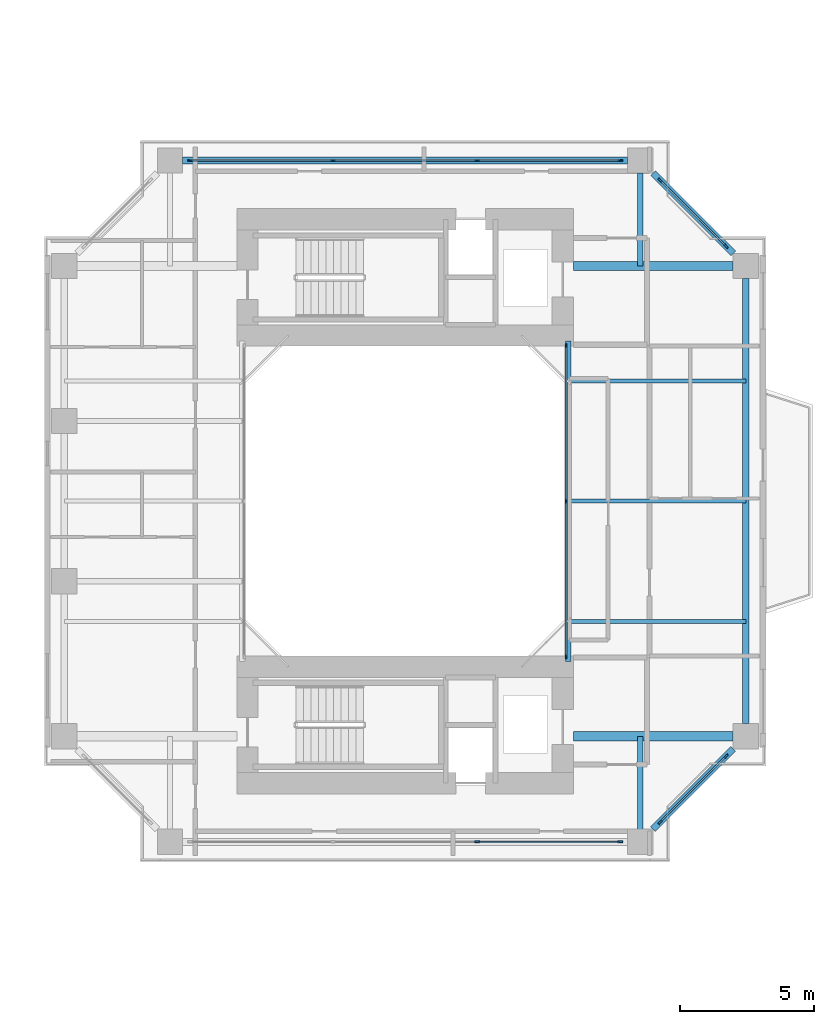
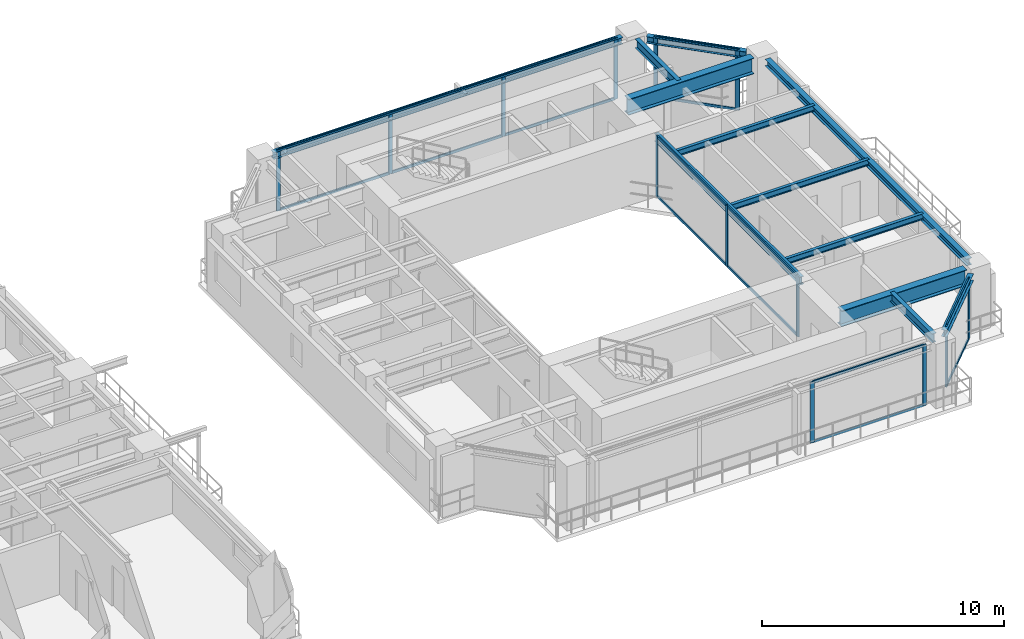
# One storey, part 10 of 23: 29 members, 12 beams, 5 elements without a shape of their own.
"""IFC4 building model written with IfcOpenShell, lengths in metres."""

from ifc_helpers import new_model, si_unit, direction, frame, origin, origin_2d, place, context, subcontext, project, spatial, rectangle, i_section, extrude, source, transform, mapped, material, layer, layer_set, material_profile, profile_set, type_object, element, aggregate, save


model = new_model("IFC4")

# Units and contexts
model_context = context("Model", 3, precision=1e-05, world=origin(), true_north=direction((0.0, 1.0)))
body_context = subcontext(model_context, "Body", "Model", "MODEL_VIEW")
ifc_project = project(units=[si_unit("LENGTHUNIT", "METRE"), si_unit("AREAUNIT", "SQUARE_METRE"), si_unit("VOLUMEUNIT", "CUBIC_METRE"), si_unit("PLANEANGLEUNIT", "RADIAN"), si_unit("MASSUNIT", "GRAM", prefix="KILO"), si_unit("THERMODYNAMICTEMPERATUREUNIT", "KELVIN"), si_unit("POWERUNIT", "WATT")], contexts=[model_context])

# Site, building, storey
site_placement = place(None, origin())
site = spatial("IfcSite", under=ifc_project, at=site_placement, CompositionType="ELEMENT")
building_placement = place(site_placement, origin())
building = spatial("IfcBuilding", under=site, at=building_placement, Name="Qiaomeng Ring Towers", CompositionType="ELEMENT")
storey_placement = place(building_placement, frame((0.0, 0.0, 39.25)))
storey = spatial("IfcBuildingStorey", under=building, at=storey_placement, Name="L10", CompositionType="ELEMENT", Elevation=39.25)

# Beams
ifc_material_1 = material(Name="Steel Q355B", Category="steel")
ifc_material_profile_1 = material_profile(ifc_material_1, i_section(OverallWidth=0.25, OverallDepth=0.340087890625, WebThickness=0.009033203125, FlangeThickness=0.013916015625, FilletRadius=0.02001953125, at=origin_2d()), Name="HM 340x250x9x14")
ifc_profile_set_1 = profile_set([ifc_material_profile_1], Name="Steel Q355B")
beam_type_1 = type_object("IfcBeamType", Name="STR-BM-HM340", PredefinedType="SPANDREL", material=ifc_profile_set_1)
shared_shape_1 = source(origin(), body_context, "Body", "SweptSolid", [
    extrude(i_section(OverallWidth=0.25, OverallDepth=0.340087890625, WebThickness=0.009033203125, FlangeThickness=0.013916015625, FilletRadius=0.02001953125, at=origin_2d()), origin(), (0.0, 0.0, 1.0), 16.65185546875),
])
for number, where, z_axis, x_axis, name in (
    (1, (73.25, 14.674072265625, 2.89990234375), (0.0, 1.0, 0.0), (-1.0, 0.0, 0.0), "L10 beam STR-SP-L10-T2-E1-E2"),
    (2, (68.825927734375, 35.75, 2.89990234375), (-1.0, 0.0, 0.0), (0.0, -1.0, 0.0), "L10 beam STR-SP-L10-T2-N2-N1"),
):
    element("IfcBeam", number, at=place(storey_placement, frame(where, z_axis=z_axis, x_axis=x_axis)), inside=storey, type_object=beam_type_1, Name=name, PredefinedType="SPANDREL", context=body_context, shape_type="MappedRepresentation", body=[
        mapped(shared_shape_1, transform((0.0, 0.0, 0.0), x_axis=(1.0, 0.0, 0.0), y_axis=(0.0, 1.0, 0.0), z_axis=(0.0, 0.0, 1.0), scale=1.0)),
    ])
shared_shape_2 = source(origin(), body_context, "Body", "SweptSolid", [
    extrude(i_section(OverallWidth=0.25, OverallDepth=0.340087890625, WebThickness=0.009033203125, FlangeThickness=0.013916015625, FilletRadius=0.02001953125, at=origin_2d()), origin(), (0.0, 0.0, 1.0), 4.244384765625),
])
for number, where, z_axis, x_axis, name in (
    (3, (69.7744140625, 10.724365234375, 2.89990234375), (0.707106781187, 0.707106781187, 0.0), (-0.707106781187, 0.707106781187, 0.0), "L10 beam STR-SP-L10-T2-S2-E1"),
    (4, (72.775634765625, 32.2744140625, 2.89990234375), (-0.707106781187, 0.707106781187, 0.0), (-0.707106781187, -0.707106781187, 0.0), "L10 beam STR-SP-L10-T2-E2-N2"),
):
    element("IfcBeam", number, at=place(storey_placement, frame(where, z_axis=z_axis, x_axis=x_axis)), inside=storey, type_object=beam_type_1, Name=name, PredefinedType="SPANDREL", context=body_context, shape_type="MappedRepresentation", body=[
        mapped(shared_shape_2, transform((0.0, 0.0, 0.0), x_axis=(1.0, 0.0, 0.0), y_axis=(0.0, 1.0, 0.0), z_axis=(0.0, 0.0, 1.0), scale=1.0)),
    ])
ifc_material_profile_2 = material_profile(ifc_material_1, i_section(OverallWidth=0.199951171875, OverallDepth=0.39990234375, WebThickness=0.008056640625, FlangeThickness=0.012939453125, FilletRadius=0.01611328125, at=origin_2d()), Name="HN 400x200x8x13")
ifc_profile_set_2 = profile_set([ifc_material_profile_2], Name="Steel Q355B")
beam_type_2 = type_object("IfcBeamType", Name="STR-BM-HN400", PredefinedType="SPANDREL", material=ifc_profile_set_2)
shared_shape_3 = source(origin(), body_context, "Body", "SweptSolid", [
    extrude(i_section(OverallWidth=0.199951171875, OverallDepth=0.39990234375, WebThickness=0.008056640625, FlangeThickness=0.012939453125, FilletRadius=0.01611328125, at=origin_2d()), origin(), (0.0, 0.0, 1.0), 12.0),
])
beam_placement = place(storey_placement, frame((66.60009765625, 17.0, 2.8701171875), z_axis=(0.0, 1.0, 0.0), x_axis=(-1.0, 0.0, 0.0)))
element("IfcBeam", 5, at=beam_placement, inside=storey, type_object=beam_type_2, Name="L10 beam STR-BM-L10-T2-WELL-E", PredefinedType="SPANDREL", context=body_context, shape_type="MappedRepresentation", body=[
    mapped(shared_shape_3, transform((0.0, 0.0, 0.0), x_axis=(1.0, 0.0, 0.0), y_axis=(0.0, 1.0, 0.0), z_axis=(0.0, 0.0, 1.0), scale=1.0)),
])
ifc_material_2 = material(Name="Steel Q390GJC", Category="steel")
ifc_material_profile_3 = material_profile(ifc_material_2, i_section(OverallWidth=0.35009765625, OverallDepth=0.800048828125, WebThickness=0.01611328125, FlangeThickness=0.028076171875, at=origin_2d()), Name="WH 800x350x16x28")
ifc_profile_set_3 = profile_set([ifc_material_profile_3], Name="Steel Q390GJC")
beam_type_3 = type_object("IfcBeamType", Name="STR-BM-WH800", PredefinedType="BEAM", material=ifc_profile_set_3)
shared_shape_4 = source(origin(), body_context, "Body", "SweptSolid", [
    extrude(i_section(OverallWidth=0.35009765625, OverallDepth=0.800048828125, WebThickness=0.01611328125, FlangeThickness=0.028076171875, at=origin_2d()), origin(), (0.0, 0.0, 1.0), 5.975830078125),
])
for number, where, z_axis, x_axis, name in (
    (6, (66.800048828125, 14.199951171875, 2.669921875), (1.0, 0.0, 0.0), (0.0, 1.0, 0.0), "L10 beam STR-BM-L10-T2-RAD-E1"),
    (7, (66.800048828125, 31.800048828125, 2.669921875), (1.0, 0.0, 0.0), (0.0, 1.0, 0.0), "L10 beam STR-BM-L10-T2-RAD-E2"),
):
    element("IfcBeam", number, at=place(storey_placement, frame(where, z_axis=z_axis, x_axis=x_axis)), inside=storey, type_object=beam_type_3, Name=name, PredefinedType="BEAM", context=body_context, shape_type="MappedRepresentation", body=[
        mapped(shared_shape_4, transform((0.0, 0.0, 0.0), x_axis=(1.0, 0.0, 0.0), y_axis=(0.0, 1.0, 0.0), z_axis=(0.0, 0.0, 1.0), scale=1.0)),
    ])
ifc_material_profile_4 = material_profile(ifc_material_1, i_section(OverallWidth=0.199951171875, OverallDepth=0.449951171875, WebThickness=0.009033203125, FlangeThickness=0.013916015625, FilletRadius=0.01806640625, at=origin_2d()), Name="HN 450x200x9x14")
ifc_profile_set_4 = profile_set([ifc_material_profile_4], Name="Steel Q355B")
beam_type_4 = type_object("IfcBeamType", Name="STR-BM-HN450", PredefinedType="SPANDREL", material=ifc_profile_set_4)
shared_shape_5 = source(origin(), body_context, "Body", "SweptSolid", [
    extrude(i_section(OverallWidth=0.199951171875, OverallDepth=0.449951171875, WebThickness=0.009033203125, FlangeThickness=0.013916015625, FilletRadius=0.01806640625, at=origin_2d()), origin(), (0.0, 0.0, 1.0), 3.475830078125),
])
for number, where, z_axis, x_axis, name in (
    (8, (69.300048828125, 35.27587890625, 2.844970703125), (0.0, -1.0, 0.0), (1.0, 0.0, 0.0), "L10 beam STR-BM-L10-T2-RAD-N2"),
    (9, (69.300048828125, 10.72412109375, 2.844970703125), (0.0, 1.0, 0.0), (-1.0, 0.0, 0.0), "L10 beam STR-BM-L10-T2-RAD-S2"),
):
    element("IfcBeam", number, at=place(storey_placement, frame(where, z_axis=z_axis, x_axis=x_axis)), inside=storey, type_object=beam_type_4, Name=name, PredefinedType="SPANDREL", context=body_context, shape_type="MappedRepresentation", body=[
        mapped(shared_shape_5, transform((0.0, 0.0, 0.0), x_axis=(1.0, 0.0, 0.0), y_axis=(0.0, 1.0, 0.0), z_axis=(0.0, 0.0, 1.0), scale=1.0)),
    ])
ifc_material_profile_5 = material_profile(ifc_material_1, i_section(OverallWidth=0.14990234375, OverallDepth=0.300048828125, WebThickness=0.006591796875, FlangeThickness=0.009033203125, FilletRadius=0.012939453125, at=origin_2d()), Name="HN 300x150x6.5x9")
ifc_profile_set_5 = profile_set([ifc_material_profile_5], Name="Steel Q355B")
beam_type_5 = type_object("IfcBeamType", Name="STR-BM-HN300", PredefinedType="JOIST", material=ifc_profile_set_5)
shared_shape_6 = source(origin(), body_context, "Body", "SweptSolid", [
    extrude(i_section(OverallWidth=0.14990234375, OverallDepth=0.300048828125, WebThickness=0.006591796875, FlangeThickness=0.009033203125, FilletRadius=0.012939453125, at=origin_2d()), origin(), (0.0, 0.0, 1.0), 6.64990234375),
])
for number, where, z_axis, x_axis, name in (
    (10, (66.60009765625, 18.5, 2.919921875), (1.0, 0.0, 0.0), (0.0, 1.0, 0.0), "L10 beam STR-JST-L10-T2E-1"),
    (11, (66.60009765625, 23.0, 2.919921875), (1.0, 0.0, 0.0), (0.0, 1.0, 0.0), "L10 beam STR-JST-L10-T2E-2"),
    (12, (66.60009765625, 27.5, 2.919921875), (1.0, 0.0, 0.0), (0.0, 1.0, 0.0), "L10 beam STR-JST-L10-T2E-3"),
):
    element("IfcBeam", number, at=place(storey_placement, frame(where, z_axis=z_axis, x_axis=x_axis)), inside=storey, type_object=beam_type_5, Name=name, PredefinedType="JOIST", context=body_context, shape_type="MappedRepresentation", body=[
        mapped(shared_shape_6, transform((0.0, 0.0, 0.0), x_axis=(1.0, 0.0, 0.0), y_axis=(0.0, 1.0, 0.0), z_axis=(0.0, 0.0, 1.0), scale=1.0)),
    ])

# Curtain wall, members
ifc_material_3 = material(Name="Fluorocarbon dark-grey aluminium", Category="aluminium")
ifc_layer_1 = layer(ifc_material_3, 0.139892578125, Name="Fluorocarbon dark-grey aluminium")
ifc_layer_set_1 = layer_set([ifc_layer_1], Name="Fluorocarbon dark-grey aluminium")
curtain_wall_type_1 = type_object("IfcCurtainWallType", Name="ARC-CW-4", PredefinedType="NOTDEFINED", material=ifc_layer_set_1)
curtain_wall_1_placement = place(storey_placement, origin())
curtain_wall_1 = element("IfcCurtainWall", 13, at=curtain_wall_1_placement, inside=storey, type_object=curtain_wall_type_1, Name="L10 Curtain Wall CW4", PredefinedType="NOTDEFINED")
ifc_material_profile_6 = material_profile(ifc_material_3, rectangle(XDim=0.06494140625, YDim=0.159912109375, at=origin_2d()), Name="ALU MULL 65x160")
ifc_profile_set_6 = profile_set([ifc_material_profile_6], Name="Fluorocarbon dark-grey aluminium")
member_type_1 = type_object("IfcMemberType", Name="ARC-CWM-140", PredefinedType="MULLION", material=ifc_profile_set_6)
shared_shape_7 = source(origin(), body_context, "Body", "SweptSolid", [
    extrude(rectangle(XDim=0.06494140625, YDim=0.159912109375, at=origin_2d()), origin(), (0.0, 0.0, 1.0), 3.070068359375),
])
member_1_placement = place(storey_placement, frame((66.52001953125, 17.1826171875, 0.0), z_axis=(0.0, 0.0, 1.0), x_axis=(-1.0, 0.0, 0.0)))
member_1 = element("IfcMember", 14, at=member_1_placement, type_object=member_type_1, Name="CW4 mullion 1", PredefinedType="MULLION", context=body_context, shape_type="MappedRepresentation", body=[
    mapped(shared_shape_7, transform((0.0, 0.0, 0.0), x_axis=(1.0, 0.0, 0.0), y_axis=(0.0, 1.0, 0.0), z_axis=(0.0, 0.0, 1.0), scale=1.0)),
])
member_2_placement = place(storey_placement, frame((66.52001953125, 23.0, 0.0), z_axis=(0.0, 0.0, 1.0), x_axis=(-1.0, 0.0, 0.0)))
member_2 = element("IfcMember", 15, at=member_2_placement, type_object=member_type_1, Name="CW4 mullion 2", PredefinedType="MULLION", context=body_context, shape_type="MappedRepresentation", body=[
    mapped(shared_shape_7, transform((0.0, 0.0, 0.0), x_axis=(1.0, 0.0, 0.0), y_axis=(0.0, 1.0, 0.0), z_axis=(0.0, 0.0, 1.0), scale=1.0)),
])
member_3_placement = place(storey_placement, frame((66.52001953125, 28.8173828125, 0.0), z_axis=(0.0, 0.0, 1.0), x_axis=(-1.0, 0.0, 0.0)))
member_3 = element("IfcMember", 16, at=member_3_placement, type_object=member_type_1, Name="CW4 mullion 3", PredefinedType="MULLION", context=body_context, shape_type="MappedRepresentation", body=[
    mapped(shared_shape_7, transform((0.0, 0.0, 0.0), x_axis=(1.0, 0.0, 0.0), y_axis=(0.0, 1.0, 0.0), z_axis=(0.0, 0.0, 1.0), scale=1.0)),
])
ifc_material_profile_7 = material_profile(ifc_material_3, rectangle(XDim=0.06494140625, YDim=0.1298828125, at=origin_2d()), Name="ALU TRAN 65x130")
ifc_profile_set_7 = profile_set([ifc_material_profile_7], Name="Fluorocarbon dark-grey aluminium")
member_type_2 = type_object("IfcMemberType", Name="ARC-CWT-120", PredefinedType="USERDEFINED", material=ifc_profile_set_7)
shared_shape_8 = source(origin(), body_context, "Body", "SweptSolid", [
    extrude(rectangle(XDim=0.06494140625, YDim=0.1298828125, at=origin_2d()), origin(), (0.0, 0.0, 1.0), 5.75244140625),
])
member_4_placement = place(storey_placement, frame((66.52001953125, 17.215087890625, 0.032470703125), z_axis=(0.0, 1.0, 0.0), x_axis=(-1.0, 0.0, 0.0)))
member_4 = element("IfcMember", 17, at=member_4_placement, type_object=member_type_2, Name="CW4 transom 1.1", ObjectType="TRANSOM", PredefinedType="USERDEFINED", context=body_context, shape_type="MappedRepresentation", body=[
    mapped(shared_shape_8, transform((0.0, 0.0, 0.0), x_axis=(1.0, 0.0, 0.0), y_axis=(0.0, 1.0, 0.0), z_axis=(0.0, 0.0, 1.0), scale=1.0)),
])
member_5_placement = place(storey_placement, frame((66.52001953125, 17.215087890625, 3.03759765625), z_axis=(0.0, 1.0, 0.0), x_axis=(-1.0, 0.0, 0.0)))
member_5 = element("IfcMember", 18, at=member_5_placement, type_object=member_type_2, Name="CW4 transom 1.2", ObjectType="TRANSOM", PredefinedType="USERDEFINED", context=body_context, shape_type="MappedRepresentation", body=[
    mapped(shared_shape_8, transform((0.0, 0.0, 0.0), x_axis=(1.0, 0.0, 0.0), y_axis=(0.0, 1.0, 0.0), z_axis=(0.0, 0.0, 1.0), scale=1.0)),
])
member_6_placement = place(storey_placement, frame((66.52001953125, 23.032470703125, 0.032470703125), z_axis=(0.0, 1.0, 0.0), x_axis=(-1.0, 0.0, 0.0)))
member_6 = element("IfcMember", 19, at=member_6_placement, type_object=member_type_2, Name="CW4 transom 2.1", ObjectType="TRANSOM", PredefinedType="USERDEFINED", context=body_context, shape_type="MappedRepresentation", body=[
    mapped(shared_shape_8, transform((0.0, 0.0, 0.0), x_axis=(1.0, 0.0, 0.0), y_axis=(0.0, 1.0, 0.0), z_axis=(0.0, 0.0, 1.0), scale=1.0)),
])
member_7_placement = place(storey_placement, frame((66.52001953125, 23.032470703125, 3.03759765625), z_axis=(0.0, 1.0, 0.0), x_axis=(-1.0, 0.0, 0.0)))
member_7 = element("IfcMember", 20, at=member_7_placement, type_object=member_type_2, Name="CW4 transom 2.2", ObjectType="TRANSOM", PredefinedType="USERDEFINED", context=body_context, shape_type="MappedRepresentation", body=[
    mapped(shared_shape_8, transform((0.0, 0.0, 0.0), x_axis=(1.0, 0.0, 0.0), y_axis=(0.0, 1.0, 0.0), z_axis=(0.0, 0.0, 1.0), scale=1.0)),
])
aggregate(curtain_wall_1, [member_1, member_2, member_3, member_4, member_5, member_6, member_7])

ifc_layer_2 = layer(ifc_material_3, 0.14990234375, Name="Fluorocarbon dark-grey aluminium")
ifc_layer_set_2 = layer_set([ifc_layer_2], Name="Fluorocarbon dark-grey aluminium")
curtain_wall_type_2 = type_object("IfcCurtainWallType", Name="ARC-CW-5", PredefinedType="NOTDEFINED", material=ifc_layer_set_2)
curtain_wall_2_placement = place(storey_placement, origin())
curtain_wall_2 = element("IfcCurtainWall", 21, at=curtain_wall_2_placement, inside=storey, type_object=curtain_wall_type_2, Name="L10 Curtain Wall CW5", PredefinedType="NOTDEFINED")
ifc_material_profile_8 = material_profile(ifc_material_3, rectangle(XDim=0.070068359375, YDim=0.179931640625, at=origin_2d()), Name="ALU MULL 70x180")
ifc_profile_set_8 = profile_set([ifc_material_profile_8], Name="Fluorocarbon dark-grey aluminium")
member_type_3 = type_object("IfcMemberType", Name="ARC-CWM-160", PredefinedType="MULLION", material=ifc_profile_set_8)
shared_shape_9 = source(origin(), body_context, "Body", "SweptSolid", [
    extrude(rectangle(XDim=0.070068359375, YDim=0.179931640625, at=origin_2d()), origin(), (0.0, 0.0, 1.0), 3.070068359375),
])
member_8_placement = place(storey_placement, frame((52.449951171875, 35.75, 0.0), z_axis=(0.0, 0.0, 1.0), x_axis=(0.0, 1.0, 0.0)))
member_8 = element("IfcMember", 22, at=member_8_placement, type_object=member_type_3, Name="CW5 mullion 1", PredefinedType="MULLION", context=body_context, shape_type="MappedRepresentation", body=[
    mapped(shared_shape_9, transform((0.0, 0.0, 0.0), x_axis=(1.0, 0.0, 0.0), y_axis=(0.0, 1.0, 0.0), z_axis=(0.0, 0.0, 1.0), scale=1.0)),
])
member_9_placement = place(storey_placement, frame((57.804931640625, 35.75, 0.0), z_axis=(0.0, 0.0, 1.0), x_axis=(0.0, 1.0, 0.0)))
member_9 = element("IfcMember", 23, at=member_9_placement, type_object=member_type_3, Name="CW5 mullion 2", PredefinedType="MULLION", context=body_context, shape_type="MappedRepresentation", body=[
    mapped(shared_shape_9, transform((0.0, 0.0, 0.0), x_axis=(1.0, 0.0, 0.0), y_axis=(0.0, 1.0, 0.0), z_axis=(0.0, 0.0, 1.0), scale=1.0)),
])
member_10_placement = place(storey_placement, frame((63.195068359375, 35.75, 0.0), z_axis=(0.0, 0.0, 1.0), x_axis=(0.0, 1.0, 0.0)))
member_10 = element("IfcMember", 24, at=member_10_placement, type_object=member_type_3, Name="CW5 mullion 3", PredefinedType="MULLION", context=body_context, shape_type="MappedRepresentation", body=[
    mapped(shared_shape_9, transform((0.0, 0.0, 0.0), x_axis=(1.0, 0.0, 0.0), y_axis=(0.0, 1.0, 0.0), z_axis=(0.0, 0.0, 1.0), scale=1.0)),
])
member_11_placement = place(storey_placement, frame((68.550048828125, 35.75, 0.0), z_axis=(0.0, 0.0, 1.0), x_axis=(0.0, 1.0, 0.0)))
member_11 = element("IfcMember", 25, at=member_11_placement, type_object=member_type_3, Name="CW5 mullion 4", PredefinedType="MULLION", context=body_context, shape_type="MappedRepresentation", body=[
    mapped(shared_shape_9, transform((0.0, 0.0, 0.0), x_axis=(1.0, 0.0, 0.0), y_axis=(0.0, 1.0, 0.0), z_axis=(0.0, 0.0, 1.0), scale=1.0)),
])

curtain_wall_3_placement = place(storey_placement, origin())
curtain_wall_3 = element("IfcCurtainWall", 26, at=curtain_wall_3_placement, inside=storey, type_object=curtain_wall_type_2, Name="L10 Curtain Wall CW5", PredefinedType="NOTDEFINED")
member_12_placement = place(storey_placement, frame((70.039794921875, 10.98974609375, 0.0), z_axis=(0.0, 0.0, 1.0), x_axis=(-0.707106781187, 0.707106781187, 0.0)))
member_12 = element("IfcMember", 27, at=member_12_placement, type_object=member_type_3, Name="CW5 mullion 1", PredefinedType="MULLION", context=body_context, shape_type="MappedRepresentation", body=[
    mapped(shared_shape_9, transform((0.0, 0.0, 0.0), x_axis=(1.0, 0.0, 0.0), y_axis=(0.0, 1.0, 0.0), z_axis=(0.0, 0.0, 1.0), scale=1.0)),
])
member_13_placement = place(storey_placement, frame((72.51025390625, 13.460205078125, 0.0), z_axis=(0.0, 0.0, 1.0), x_axis=(-0.707106781187, 0.707106781187, 0.0)))
member_13 = element("IfcMember", 28, at=member_13_placement, type_object=member_type_3, Name="CW5 mullion 2", PredefinedType="MULLION", context=body_context, shape_type="MappedRepresentation", body=[
    mapped(shared_shape_9, transform((0.0, 0.0, 0.0), x_axis=(1.0, 0.0, 0.0), y_axis=(0.0, 1.0, 0.0), z_axis=(0.0, 0.0, 1.0), scale=1.0)),
])

curtain_wall_4_placement = place(storey_placement, origin())
curtain_wall_4 = element("IfcCurtainWall", 29, at=curtain_wall_4_placement, inside=storey, type_object=curtain_wall_type_2, Name="L10 Curtain Wall CW5", PredefinedType="NOTDEFINED")
member_14_placement = place(storey_placement, frame((72.51025390625, 32.539794921875, 0.0), z_axis=(0.0, 0.0, 1.0), x_axis=(-0.707106781187, -0.707106781187, 0.0)))
member_14 = element("IfcMember", 30, at=member_14_placement, type_object=member_type_3, Name="CW5 mullion 1", PredefinedType="MULLION", context=body_context, shape_type="MappedRepresentation", body=[
    mapped(shared_shape_9, transform((0.0, 0.0, 0.0), x_axis=(1.0, 0.0, 0.0), y_axis=(0.0, 1.0, 0.0), z_axis=(0.0, 0.0, 1.0), scale=1.0)),
])
member_15_placement = place(storey_placement, frame((70.039794921875, 35.01025390625, 0.0), z_axis=(0.0, 0.0, 1.0), x_axis=(-0.707106781187, -0.707106781187, 0.0)))
member_15 = element("IfcMember", 31, at=member_15_placement, type_object=member_type_3, Name="CW5 mullion 2", PredefinedType="MULLION", context=body_context, shape_type="MappedRepresentation", body=[
    mapped(shared_shape_9, transform((0.0, 0.0, 0.0), x_axis=(1.0, 0.0, 0.0), y_axis=(0.0, 1.0, 0.0), z_axis=(0.0, 0.0, 1.0), scale=1.0)),
])

curtain_wall_5_placement = place(storey_placement, origin())
curtain_wall_5 = element("IfcCurtainWall", 32, at=curtain_wall_5_placement, inside=storey, type_object=curtain_wall_type_2, Name="L10 Curtain Wall CW5", PredefinedType="NOTDEFINED")
member_16_placement = place(storey_placement, frame((63.195068359375, 10.25, 0.0), z_axis=(0.0, 0.0, 1.0), x_axis=(0.0, 1.0, 0.0)))
member_16 = element("IfcMember", 33, at=member_16_placement, type_object=member_type_3, Name="CW5 mullion 3", PredefinedType="MULLION", context=body_context, shape_type="MappedRepresentation", body=[
    mapped(shared_shape_9, transform((0.0, 0.0, 0.0), x_axis=(1.0, 0.0, 0.0), y_axis=(0.0, 1.0, 0.0), z_axis=(0.0, 0.0, 1.0), scale=1.0)),
])
member_17_placement = place(storey_placement, frame((68.550048828125, 10.25, 0.0), z_axis=(0.0, 0.0, 1.0), x_axis=(0.0, 1.0, 0.0)))
member_17 = element("IfcMember", 34, at=member_17_placement, type_object=member_type_3, Name="CW5 mullion 4", PredefinedType="MULLION", context=body_context, shape_type="MappedRepresentation", body=[
    mapped(shared_shape_9, transform((0.0, 0.0, 0.0), x_axis=(1.0, 0.0, 0.0), y_axis=(0.0, 1.0, 0.0), z_axis=(0.0, 0.0, 1.0), scale=1.0)),
])

# Member
shared_shape_10 = source(origin(), body_context, "Body", "SweptSolid", [
    extrude(rectangle(XDim=0.06494140625, YDim=0.1298828125, at=origin_2d()), origin(), (0.0, 0.0, 1.0), 5.284912109375),
])
member_18_placement = place(storey_placement, frame((52.485107421875, 35.75, 0.032470703125), z_axis=(1.0, 0.0, 0.0), x_axis=(0.0, 1.0, 0.0)))
member_18 = element("IfcMember", 35, at=member_18_placement, type_object=member_type_2, Name="CW5 transom 1.1", ObjectType="TRANSOM", PredefinedType="USERDEFINED", context=body_context, shape_type="MappedRepresentation", body=[
    mapped(shared_shape_10, transform((0.0, 0.0, 0.0), x_axis=(1.0, 0.0, 0.0), y_axis=(0.0, 1.0, 0.0), z_axis=(0.0, 0.0, 1.0), scale=1.0)),
])

member_19_placement = place(storey_placement, frame((52.485107421875, 35.75, 3.03759765625), z_axis=(1.0, 0.0, 0.0), x_axis=(0.0, 1.0, 0.0)))
member_19 = element("IfcMember", 36, at=member_19_placement, type_object=member_type_2, Name="CW5 transom 1.2", ObjectType="TRANSOM", PredefinedType="USERDEFINED", context=body_context, shape_type="MappedRepresentation", body=[
    mapped(shared_shape_10, transform((0.0, 0.0, 0.0), x_axis=(1.0, 0.0, 0.0), y_axis=(0.0, 1.0, 0.0), z_axis=(0.0, 0.0, 1.0), scale=1.0)),
])

member_20_placement = place(storey_placement, frame((63.22998046875, 35.75, 0.032470703125), z_axis=(1.0, 0.0, 0.0), x_axis=(0.0, 1.0, 0.0)))
member_20 = element("IfcMember", 37, at=member_20_placement, type_object=member_type_2, Name="CW5 transom 3.1", ObjectType="TRANSOM", PredefinedType="USERDEFINED", context=body_context, shape_type="MappedRepresentation", body=[
    mapped(shared_shape_10, transform((0.0, 0.0, 0.0), x_axis=(1.0, 0.0, 0.0), y_axis=(0.0, 1.0, 0.0), z_axis=(0.0, 0.0, 1.0), scale=1.0)),
])

member_21_placement = place(storey_placement, frame((63.22998046875, 35.75, 3.03759765625), z_axis=(1.0, 0.0, 0.0), x_axis=(0.0, 1.0, 0.0)))
member_21 = element("IfcMember", 38, at=member_21_placement, type_object=member_type_2, Name="CW5 transom 3.2", ObjectType="TRANSOM", PredefinedType="USERDEFINED", context=body_context, shape_type="MappedRepresentation", body=[
    mapped(shared_shape_10, transform((0.0, 0.0, 0.0), x_axis=(1.0, 0.0, 0.0), y_axis=(0.0, 1.0, 0.0), z_axis=(0.0, 0.0, 1.0), scale=1.0)),
])

member_22_placement = place(storey_placement, frame((63.22998046875, 10.25, 0.032470703125), z_axis=(1.0, 0.0, 0.0), x_axis=(0.0, 1.0, 0.0)))
member_22 = element("IfcMember", 39, at=member_22_placement, type_object=member_type_2, Name="CW5 transom 3.1", ObjectType="TRANSOM", PredefinedType="USERDEFINED", context=body_context, shape_type="MappedRepresentation", body=[
    mapped(shared_shape_10, transform((0.0, 0.0, 0.0), x_axis=(1.0, 0.0, 0.0), y_axis=(0.0, 1.0, 0.0), z_axis=(0.0, 0.0, 1.0), scale=1.0)),
])

member_23_placement = place(storey_placement, frame((63.22998046875, 10.25, 3.03759765625), z_axis=(1.0, 0.0, 0.0), x_axis=(0.0, 1.0, 0.0)))
member_23 = element("IfcMember", 40, at=member_23_placement, type_object=member_type_2, Name="CW5 transom 3.2", ObjectType="TRANSOM", PredefinedType="USERDEFINED", context=body_context, shape_type="MappedRepresentation", body=[
    mapped(shared_shape_10, transform((0.0, 0.0, 0.0), x_axis=(1.0, 0.0, 0.0), y_axis=(0.0, 1.0, 0.0), z_axis=(0.0, 0.0, 1.0), scale=1.0)),
])

aggregate(curtain_wall_5, [member_16, member_17, member_22, member_23])

shared_shape_11 = source(origin(), body_context, "Body", "SweptSolid", [
    extrude(rectangle(XDim=0.06494140625, YDim=0.1298828125, at=origin_2d()), origin(), (0.0, 0.0, 1.0), 5.31982421875),
])
member_24_placement = place(storey_placement, frame((57.840087890625, 35.75, 0.032470703125), z_axis=(1.0, 0.0, 0.0), x_axis=(0.0, 1.0, 0.0)))
member_24 = element("IfcMember", 41, at=member_24_placement, type_object=member_type_2, Name="CW5 transom 2.1", ObjectType="TRANSOM", PredefinedType="USERDEFINED", context=body_context, shape_type="MappedRepresentation", body=[
    mapped(shared_shape_11, transform((0.0, 0.0, 0.0), x_axis=(1.0, 0.0, 0.0), y_axis=(0.0, 1.0, 0.0), z_axis=(0.0, 0.0, 1.0), scale=1.0)),
])

member_25_placement = place(storey_placement, frame((57.840087890625, 35.75, 3.03759765625), z_axis=(1.0, 0.0, 0.0), x_axis=(0.0, 1.0, 0.0)))
member_25 = element("IfcMember", 42, at=member_25_placement, type_object=member_type_2, Name="CW5 transom 2.2", ObjectType="TRANSOM", PredefinedType="USERDEFINED", context=body_context, shape_type="MappedRepresentation", body=[
    mapped(shared_shape_11, transform((0.0, 0.0, 0.0), x_axis=(1.0, 0.0, 0.0), y_axis=(0.0, 1.0, 0.0), z_axis=(0.0, 0.0, 1.0), scale=1.0)),
])

aggregate(curtain_wall_2, [member_8, member_9, member_10, member_11, member_18, member_19, member_24, member_25, member_20, member_21])

shared_shape_12 = source(origin(), body_context, "Body", "SweptSolid", [
    extrude(rectangle(XDim=0.06494140625, YDim=0.1298828125, at=origin_2d()), origin(), (0.0, 0.0, 1.0), 3.424072265625),
])
member_26_placement = place(storey_placement, frame((70.064453125, 11.014404296875, 0.032470703125), z_axis=(0.707106781187, 0.707106781187, 0.0), x_axis=(-0.707106781187, 0.707106781187, 0.0)))
member_26 = element("IfcMember", 43, at=member_26_placement, type_object=member_type_2, Name="CW5 transom 1.1", ObjectType="TRANSOM", PredefinedType="USERDEFINED", context=body_context, shape_type="MappedRepresentation", body=[
    mapped(shared_shape_12, transform((0.0, 0.0, 0.0), x_axis=(1.0, 0.0, 0.0), y_axis=(0.0, 1.0, 0.0), z_axis=(0.0, 0.0, 1.0), scale=1.0)),
])

member_27_placement = place(storey_placement, frame((70.064453125, 11.014404296875, 3.03759765625), z_axis=(0.707106781187, 0.707106781187, 0.0), x_axis=(-0.707106781187, 0.707106781187, 0.0)))
member_27 = element("IfcMember", 44, at=member_27_placement, type_object=member_type_2, Name="CW5 transom 1.2", ObjectType="TRANSOM", PredefinedType="USERDEFINED", context=body_context, shape_type="MappedRepresentation", body=[
    mapped(shared_shape_12, transform((0.0, 0.0, 0.0), x_axis=(1.0, 0.0, 0.0), y_axis=(0.0, 1.0, 0.0), z_axis=(0.0, 0.0, 1.0), scale=1.0)),
])

aggregate(curtain_wall_3, [member_12, member_13, member_26, member_27])

member_28_placement = place(storey_placement, frame((72.485595703125, 32.564453125, 0.032470703125), z_axis=(-0.707106781187, 0.707106781187, 0.0), x_axis=(-0.707106781187, -0.707106781187, 0.0)))
member_28 = element("IfcMember", 45, at=member_28_placement, type_object=member_type_2, Name="CW5 transom 1.1", ObjectType="TRANSOM", PredefinedType="USERDEFINED", context=body_context, shape_type="MappedRepresentation", body=[
    mapped(shared_shape_12, transform((0.0, 0.0, 0.0), x_axis=(1.0, 0.0, 0.0), y_axis=(0.0, 1.0, 0.0), z_axis=(0.0, 0.0, 1.0), scale=1.0)),
])

member_29_placement = place(storey_placement, frame((72.485595703125, 32.564453125, 3.03759765625), z_axis=(-0.707106781187, 0.707106781187, 0.0), x_axis=(-0.707106781187, -0.707106781187, 0.0)))
member_29 = element("IfcMember", 46, at=member_29_placement, type_object=member_type_2, Name="CW5 transom 1.2", ObjectType="TRANSOM", PredefinedType="USERDEFINED", context=body_context, shape_type="MappedRepresentation", body=[
    mapped(shared_shape_12, transform((0.0, 0.0, 0.0), x_axis=(1.0, 0.0, 0.0), y_axis=(0.0, 1.0, 0.0), z_axis=(0.0, 0.0, 1.0), scale=1.0)),
])

aggregate(curtain_wall_4, [member_14, member_15, member_28, member_29])

save(model, "model.ifc")
